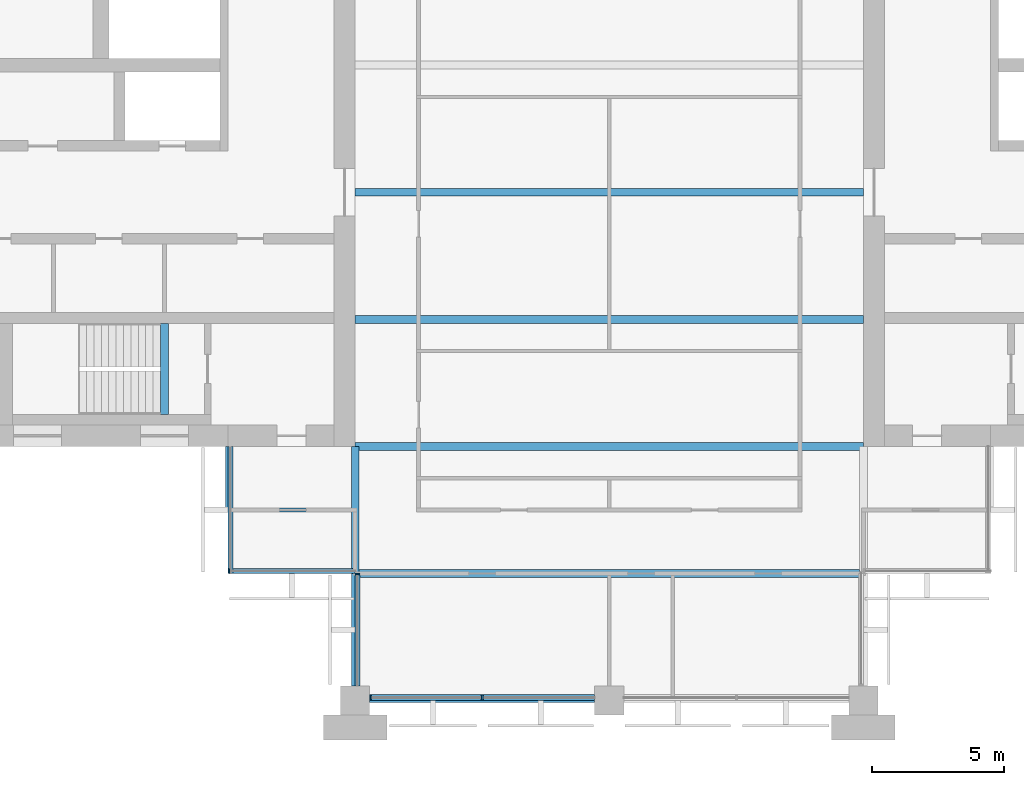
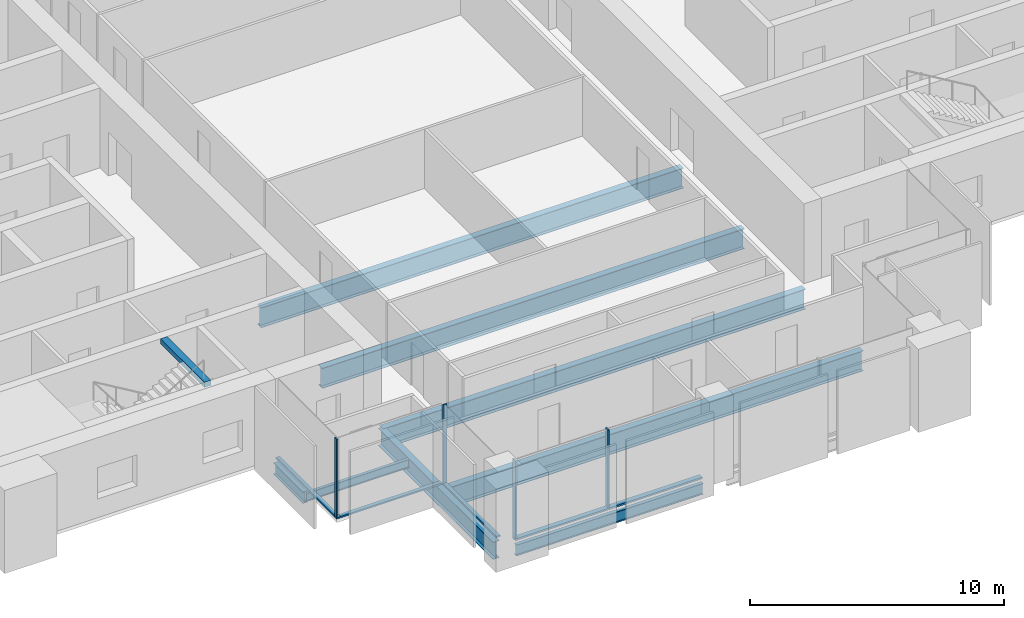
# One storey, part 2 of 13: 9 beams, 8 members, 4 elements without a shape of their own.
"""IFC4 building model written with IfcOpenShell, lengths in metres."""

from ifc_helpers import new_model, si_unit, direction, frame, origin, origin_2d, place, context, subcontext, project, spatial, rectangle, i_section, extrude, material, material_profile, profile_set, type_object, element, aggregate, save


model = new_model("IFC4")

# Units and contexts
model_context = context("Model", 3, precision=1e-05, world=origin(), true_north=direction((0.0, 1.0)))
body_context = subcontext(model_context, "Body", "Model", "MODEL_VIEW")
ifc_project = project(units=[si_unit("LENGTHUNIT", "METRE"), si_unit("AREAUNIT", "SQUARE_METRE"), si_unit("VOLUMEUNIT", "CUBIC_METRE"), si_unit("PLANEANGLEUNIT", "RADIAN"), si_unit("MASSUNIT", "GRAM", prefix="KILO")], contexts=[model_context])

# Site, building, storey
site_placement = place(None, origin())
site = spatial("IfcSite", under=ifc_project, at=site_placement, CompositionType="ELEMENT")
building_placement = place(site_placement, origin())
building = spatial("IfcBuilding", under=site, at=building_placement, Name="Baori Bourse Tower", CompositionType="ELEMENT")
storey_placement = place(building_placement, frame((0.0, 0.0, 241.199951171875)))
storey = spatial("IfcBuildingStorey", under=building, at=storey_placement, Name="L53", CompositionType="ELEMENT", Elevation=241.199951171875)

# Curtain wall, member
ifc_material_1 = material(Name="Pale anodised aluminium", Category="aluminium")
curtain_wall_type_1 = type_object("IfcCurtainWallType", Name="CW2 Curtain wall", PredefinedType="NOTDEFINED", material=ifc_material_1)
curtain_wall_1_placement = place(storey_placement, origin())
curtain_wall_1 = element("IfcCurtainWall", 1, at=curtain_wall_1_placement, inside=storey, type_object=curtain_wall_type_1, Name="Curtain wall CW2 L53 9", PredefinedType="NOTDEFINED")
ifc_material_2 = material(Name="Pale anodised aluminium", Category="aluminium")
ifc_material_profile_1 = material_profile(ifc_material_2, rectangle(XDim=0.179931640625, YDim=0.054931640625, at=origin_2d()), Name="Mullion 55x180")
ifc_profile_set_1 = profile_set([ifc_material_profile_1], Name="Pale anodised aluminium")
member_type_1 = type_object("IfcMemberType", Name="CW2 Curtain wall mullion", PredefinedType="MULLION", material=ifc_profile_set_1)
member_1_placement = place(storey_placement, frame((14.427490234375, 4.889892578125, 0.070068359375), z_axis=(0.0, 0.0, 1.0), x_axis=(0.0, 1.0, 0.0)))
member_1 = element("IfcMember", 2, at=member_1_placement, type_object=member_type_1, Name="Curtain wall CW2 mullion", PredefinedType="MULLION", context=body_context, shape_type="SweptSolid", body=[
    extrude(rectangle(XDim=0.179931640625, YDim=0.054931640625, at=origin_2d()), origin(), (0.0, 0.0, 1.0), 3.77001953125),
])

curtain_wall_2_placement = place(storey_placement, origin())
curtain_wall_2 = element("IfcCurtainWall", 3, at=curtain_wall_2_placement, inside=storey, type_object=curtain_wall_type_1, Name="Curtain wall CW2 L53 10", PredefinedType="NOTDEFINED")
member_2_placement = place(storey_placement, frame((19.2900390625, 4.7724609375, 0.070068359375), z_axis=(0.0, 0.0, 1.0), x_axis=(1.0, 0.0, 0.0)))
member_2 = element("IfcMember", 4, at=member_2_placement, type_object=member_type_1, Name="Curtain wall CW2 mullion", PredefinedType="MULLION", context=body_context, shape_type="SweptSolid", body=[
    extrude(rectangle(XDim=0.179931640625, YDim=0.054931640625, at=origin_2d()), origin(), (0.0, 0.0, 1.0), 3.77001953125),
])

curtain_wall_3_placement = place(storey_placement, origin())
curtain_wall_3 = element("IfcCurtainWall", 5, at=curtain_wall_3_placement, inside=storey, type_object=curtain_wall_type_1, Name="Curtain wall CW2 L53 8", PredefinedType="NOTDEFINED")
ifc_material_3 = material(Name="Pale anodised aluminium", Category="aluminium")
ifc_material_profile_2 = material_profile(ifc_material_3, rectangle(XDim=0.179931640625, YDim=0.070068359375, at=origin_2d()), Name="Transom 70x180")
ifc_profile_set_2 = profile_set([ifc_material_profile_2], Name="Pale anodised aluminium")
member_type_2 = type_object("IfcMemberType", Name="CW2 Curtain wall transom", PredefinedType="USERDEFINED", material=ifc_profile_set_2)
member_3_placement = place(storey_placement, frame((14.489990234375, 9.60009765625, 0.03515625), z_axis=(0.0, -1.0, 0.0), x_axis=(1.0, 0.0, 0.0)))
member_3 = element("IfcMember", 6, at=member_3_placement, type_object=member_type_2, Name="Curtain wall CW2 sill rail", ObjectType="TRANSOM", PredefinedType="USERDEFINED", context=body_context, shape_type="SweptSolid", body=[
    extrude(rectangle(XDim=0.179931640625, YDim=0.070068359375, at=origin_2d()), origin(), (0.0, 0.0, 1.0), 4.800048828125),
])
aggregate(curtain_wall_3, [member_3])

# Member
member_4_placement = place(storey_placement, frame((14.39990234375, 4.889892578125, 0.03515625), z_axis=(1.0, 0.0, 0.0), x_axis=(0.0, 1.0, 0.0)))
member_4 = element("IfcMember", 7, at=member_4_placement, type_object=member_type_2, Name="Curtain wall CW2 sill rail", ObjectType="TRANSOM", PredefinedType="USERDEFINED", context=body_context, shape_type="SweptSolid", body=[
    extrude(rectangle(XDim=0.179931640625, YDim=0.070068359375, at=origin_2d()), origin(), (0.0, 0.0, 1.0), 4.800048828125),
])

aggregate(curtain_wall_1, [member_4, member_1])

member_5_placement = place(storey_placement, frame((19.2900390625, 4.800048828125, 0.03515625), z_axis=(0.0, -1.0, 0.0), x_axis=(1.0, 0.0, 0.0)))
member_5 = element("IfcMember", 8, at=member_5_placement, type_object=member_type_2, Name="Curtain wall CW2 sill rail", ObjectType="TRANSOM", PredefinedType="USERDEFINED", context=body_context, shape_type="SweptSolid", body=[
    extrude(rectangle(XDim=0.179931640625, YDim=0.070068359375, at=origin_2d()), origin(), (0.0, 0.0, 1.0), 4.25),
])

aggregate(curtain_wall_2, [member_5, member_2])

# Curtain wall, members
ifc_material_4 = material(Name="Pale anodised aluminium", Category="aluminium")
curtain_wall_type_2 = type_object("IfcCurtainWallType", Name="CW5 Curtain wall", PredefinedType="NOTDEFINED", material=ifc_material_4)
curtain_wall_4_placement = place(storey_placement, origin())
curtain_wall_4 = element("IfcCurtainWall", 9, at=curtain_wall_4_placement, inside=storey, type_object=curtain_wall_type_2, Name="Curtain wall CW5 L53 11", PredefinedType="NOTDEFINED")
ifc_material_5 = material(Name="Pale anodised aluminium", Category="aluminium")
ifc_material_profile_3 = material_profile(ifc_material_5, rectangle(XDim=0.219970703125, YDim=0.06494140625, at=origin_2d()), Name="Mullion 65x220")
ifc_profile_set_3 = profile_set([ifc_material_profile_3], Name="Pale anodised aluminium")
member_type_3 = type_object("IfcMemberType", Name="CW5 Curtain wall mullion", PredefinedType="MULLION", material=ifc_profile_set_3)
member_6_placement = place(storey_placement, frame((19.782470703125, 0.110107421875, 0.0849609375), z_axis=(0.0, 0.0, 1.0), x_axis=(0.0, 1.0, 0.0)))
member_6 = element("IfcMember", 10, at=member_6_placement, type_object=member_type_3, Name="Curtain wall CW5 mullion", PredefinedType="MULLION", context=body_context, shape_type="SweptSolid", body=[
    extrude(rectangle(XDim=0.219970703125, YDim=0.06494140625, at=origin_2d()), origin(), (0.0, 0.0, 1.0), 3.755126953125),
])
member_7_placement = place(storey_placement, frame((24.0, 0.110107421875, 0.0849609375), z_axis=(0.0, 0.0, 1.0), x_axis=(0.0, 1.0, 0.0)))
member_7 = element("IfcMember", 11, at=member_7_placement, type_object=member_type_3, Name="Curtain wall CW5 mullion", PredefinedType="MULLION", context=body_context, shape_type="SweptSolid", body=[
    extrude(rectangle(XDim=0.219970703125, YDim=0.06494140625, at=origin_2d()), origin(), (0.0, 0.0, 1.0), 3.755126953125),
])
ifc_material_6 = material(Name="Pale anodised aluminium", Category="aluminium")
ifc_material_profile_4 = material_profile(ifc_material_6, rectangle(XDim=0.219970703125, YDim=0.0849609375, at=origin_2d()), Name="Transom 85x220")
ifc_profile_set_4 = profile_set([ifc_material_profile_4], Name="Pale anodised aluminium")
member_type_4 = type_object("IfcMemberType", Name="CW5 Curtain wall transom", PredefinedType="USERDEFINED", material=ifc_profile_set_4)
member_8_placement = place(storey_placement, frame((19.75, 0.110107421875, 0.04248046875), z_axis=(1.0, 0.0, 0.0), x_axis=(0.0, 1.0, 0.0)))
member_8 = element("IfcMember", 12, at=member_8_placement, type_object=member_type_4, Name="Curtain wall CW5 sill rail", ObjectType="TRANSOM", PredefinedType="USERDEFINED", context=body_context, shape_type="SweptSolid", body=[
    extrude(rectangle(XDim=0.219970703125, YDim=0.0849609375, at=origin_2d()), origin(), (0.0, 0.0, 1.0), 8.5),
])
aggregate(curtain_wall_4, [member_8, member_6, member_7])

# Beams
ifc_material_7 = material(Name="Steel A992 Gr 50", Category="steel")
ifc_material_profile_5 = material_profile(ifc_material_7, i_section(OverallWidth=0.21240234375, OverallDepth=0.54345703125, WebThickness=0.01318359375, FlangeThickness=0.021240234375, at=origin_2d()), Name="W21x83")
ifc_profile_set_5 = profile_set([ifc_material_profile_5], Name="Steel A992 Gr 50")
beam_type_1 = type_object("IfcBeamType", Name="Core bracket W21x83", PredefinedType="BEAM", material=ifc_profile_set_5)
beam_1_placement = place(storey_placement, frame((14.39990234375, 7.270263671875, -0.431640625), z_axis=(0.0, 1.0, 0.0), x_axis=(-1.0, 0.0, 0.0)))
element("IfcBeam", 13, at=beam_1_placement, inside=storey, type_object=beam_type_1, Name="Core bracket L53", PredefinedType="BEAM", context=body_context, shape_type="SweptSolid", body=[
    extrude(i_section(OverallWidth=0.21240234375, OverallDepth=0.54345703125, WebThickness=0.01318359375, FlangeThickness=0.021240234375, at=origin_2d()), origin(), (0.0, 0.0, 1.0), 2.329833984375),
])
ifc_material_8 = material(Name="Steel A992 Gr 50", Category="steel")
ifc_material_profile_6 = material_profile(ifc_material_8, i_section(OverallWidth=0.1650390625, OverallDepth=0.52587890625, WebThickness=0.0087890625, FlangeThickness=0.011474609375, at=origin_2d()), Name="W21x44")
ifc_profile_set_6 = profile_set([ifc_material_profile_6], Name="Steel A992 Gr 50")
beam_type_2 = type_object("IfcBeamType", Name="Edge beam W21x44", PredefinedType="BEAM", material=ifc_profile_set_6)
beam_2_placement = place(storey_placement, frame((19.75, 0.0, -0.4228515625), z_axis=(1.0, 0.0, 0.0), x_axis=(0.0, 1.0, 0.0)))
element("IfcBeam", 14, at=beam_2_placement, inside=storey, type_object=beam_type_2, Name="Edge beam L53", PredefinedType="BEAM", context=body_context, shape_type="SweptSolid", body=[
    extrude(i_section(OverallWidth=0.1650390625, OverallDepth=0.52587890625, WebThickness=0.0087890625, FlangeThickness=0.011474609375, at=origin_2d()), origin(), (0.0, 0.0, 1.0), 8.5),
])
ifc_material_9 = material(Name="Steel A992 Gr 50", Category="steel")
ifc_material_profile_7 = material_profile(ifc_material_9, i_section(OverallWidth=0.2998046875, OverallDepth=0.97021484375, WebThickness=0.01611328125, FlangeThickness=0.02099609375, at=origin_2d()), Name="W40x149")
ifc_profile_set_7 = profile_set([ifc_material_profile_7], Name="Steel A992 Gr 50")
beam_type_3 = type_object("IfcBeamType", Name="Floor beam W40x149", PredefinedType="BEAM", material=ifc_profile_set_7)
beam_3_placement = place(storey_placement, frame((19.345947265625, 4.800048828125, -0.64501953125), z_axis=(1.0, 0.0, 0.0), x_axis=(0.0, 1.0, 0.0)))
element("IfcBeam", 15, at=beam_3_placement, inside=storey, type_object=beam_type_3, Name="Floor beam L53", PredefinedType="BEAM", context=body_context, shape_type="SweptSolid", body=[
    extrude(i_section(OverallWidth=0.2998046875, OverallDepth=0.97021484375, WebThickness=0.01611328125, FlangeThickness=0.02099609375, at=origin_2d()), origin(), (0.0, 0.0, 1.0), 18.907958984375),
])
for number, where, z_axis, x_axis, name in (
    (16, (19.199951171875, 9.60009765625, -0.64501953125), (1.0, 0.0, 0.0), (0.0, 1.0, 0.0), "Floor beam L53"),
    (17, (19.199951171875, 14.39990234375, -0.64501953125), (1.0, 0.0, 0.0), (0.0, 1.0, 0.0), "Floor beam L53"),
    (18, (19.199951171875, 19.199951171875, -0.64501953125), (1.0, 0.0, 0.0), (0.0, 1.0, 0.0), "Floor beam L53"),
):
    element("IfcBeam", number, at=place(storey_placement, frame(where, z_axis=z_axis, x_axis=x_axis)), inside=storey, type_object=beam_type_3, Name=name, PredefinedType="BEAM", context=body_context, shape_type="SweptSolid", body=[
        extrude(i_section(OverallWidth=0.2998046875, OverallDepth=0.97021484375, WebThickness=0.01611328125, FlangeThickness=0.02099609375, at=origin_2d()), origin(), (0.0, 0.0, 1.0), 19.199951171875),
    ])
ifc_material_10 = material(Name="Steel A992 Gr 50", Category="steel")
ifc_material_profile_8 = material_profile(ifc_material_10, i_section(OverallWidth=0.2919921875, OverallDepth=0.835693359375, WebThickness=0.013916015625, FlangeThickness=0.018798828125, at=origin_2d()), Name="W33x118")
ifc_profile_set_8 = profile_set([ifc_material_profile_8], Name="Steel A992 Gr 50")
beam_type_4 = type_object("IfcBeamType", Name="Girder W33x118", PredefinedType="BEAM", material=ifc_profile_set_8)
beam_4_placement = place(storey_placement, frame((19.199951171875, 0.550048828125, -0.577880859375), z_axis=(0.0, 1.0, 0.0), x_axis=(-1.0, 0.0, 0.0)))
element("IfcBeam", 19, at=beam_4_placement, inside=storey, type_object=beam_type_4, Name="Girder L53", PredefinedType="BEAM", context=body_context, shape_type="SweptSolid", body=[
    extrude(i_section(OverallWidth=0.2919921875, OverallDepth=0.835693359375, WebThickness=0.013916015625, FlangeThickness=0.018798828125, at=origin_2d()), origin(), (0.0, 0.0, 1.0), 9.050048828125),
])
ifc_material_11 = material(Name="Concrete f'c 50 MPa", Category="concrete")
ifc_material_profile_9 = material_profile(ifc_material_11, rectangle(XDim=0.300048828125, YDim=0.25, at=origin_2d()), Name="RC 300x250")
ifc_profile_set_9 = profile_set([ifc_material_profile_9], Name="Concrete f'c 50 MPa")
beam_type_5 = type_object("IfcBeamType", Name="Stair nib beam RC 300x250", PredefinedType="BEAM", material=ifc_profile_set_9)
beam_5_placement = place(storey_placement, frame((12.0, 10.800048828125, 3.715087890625), z_axis=(0.0, 1.0, 0.0), x_axis=(-1.0, 0.0, 0.0)))
element("IfcBeam", 20, at=beam_5_placement, inside=storey, type_object=beam_type_5, Name="Stair WA nib beam L54", PredefinedType="BEAM", context=body_context, shape_type="SweptSolid", body=[
    extrude(rectangle(XDim=0.300048828125, YDim=0.25, at=origin_2d()), origin(), (0.0, 0.0, 1.0), 3.449951171875),
])
ifc_material_12 = material(Name="Steel A992 Gr 50", Category="steel")
ifc_material_profile_10 = material_profile(ifc_material_12, i_section(OverallWidth=0.140380859375, OverallDepth=0.40380859375, WebThickness=0.007080078125, FlangeThickness=0.01123046875, at=origin_2d()), Name="W16x31")
ifc_profile_set_10 = profile_set([ifc_material_profile_10], Name="Steel A992 Gr 50")
beam_type_6 = type_object("IfcBeamType", Name="Trimmer beam W16x31", PredefinedType="BEAM", material=ifc_profile_set_10)
beam_6_placement = place(storey_placement, frame((14.39990234375, 7.199951171875, -0.36181640625), z_axis=(1.0, 0.0, 0.0), x_axis=(0.0, 1.0, 0.0)))
element("IfcBeam", 21, at=beam_6_placement, inside=storey, type_object=beam_type_6, Name="Trimmer beam L53", PredefinedType="BEAM", context=body_context, shape_type="SweptSolid", body=[
    extrude(i_section(OverallWidth=0.140380859375, OverallDepth=0.40380859375, WebThickness=0.007080078125, FlangeThickness=0.01123046875, at=origin_2d()), origin(), (0.0, 0.0, 1.0), 4.654052734375),
])

save(model, "model.ifc")
